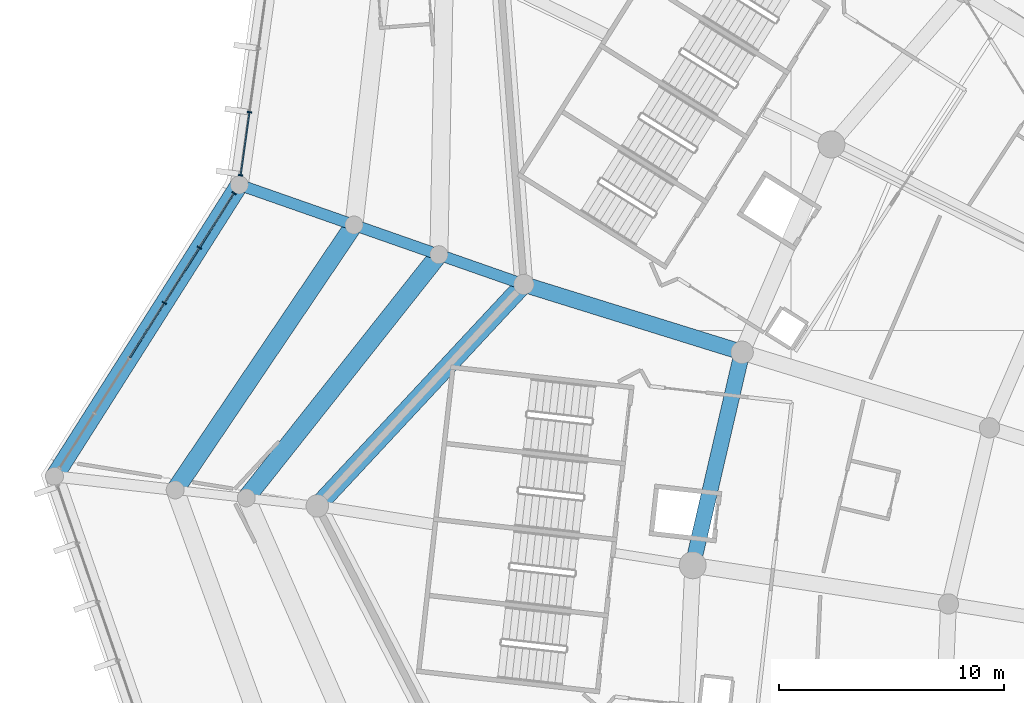
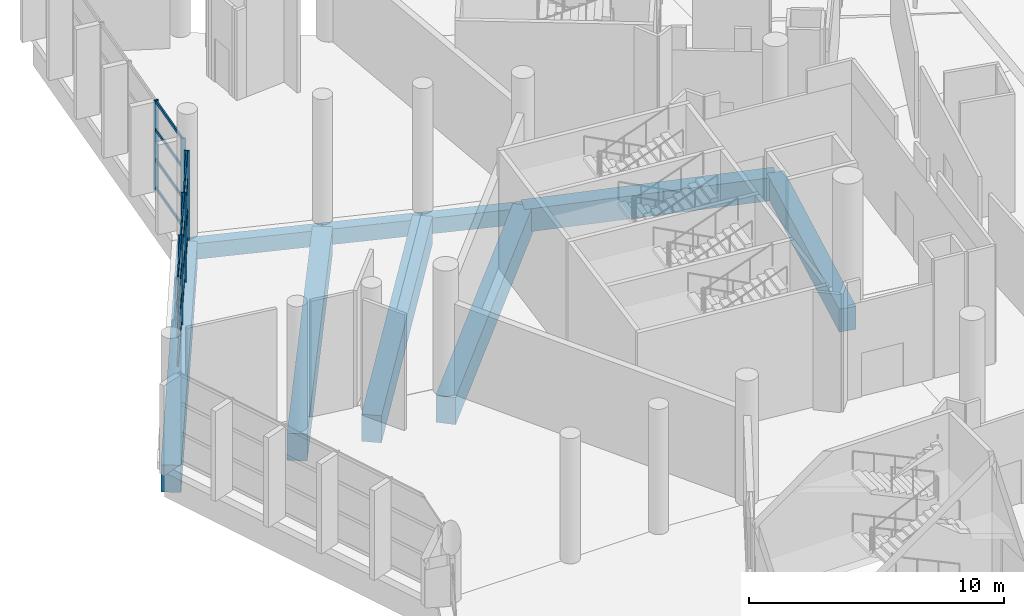
# One storey, part 58 of 249: 21 members, 9 beams, 2 elements without a shape of their own.
"""IFC4 building model written with IfcOpenShell, lengths in metres."""

from ifc_helpers import new_model, si_unit, direction, frame, origin, origin_2d, place, context, subcontext, project, spatial, rectangle, extrude, material, layer, layer_set, material_profile, profile_set, type_object, element, aggregate, save


model = new_model("IFC4")

# Units and contexts
model_context = context("Model", 3, precision=1e-05, world=origin(), true_north=direction((0.0, 1.0)))
body_context = subcontext(model_context, "Body", "Model", "MODEL_VIEW")
ifc_project = project(units=[si_unit("LENGTHUNIT", "METRE"), si_unit("AREAUNIT", "SQUARE_METRE"), si_unit("VOLUMEUNIT", "CUBIC_METRE"), si_unit("PLANEANGLEUNIT", "RADIAN"), si_unit("MASSUNIT", "GRAM", prefix="KILO")], contexts=[model_context])

# Site, building, storey
site_placement = place(None, origin())
site = spatial("IfcSite", under=ifc_project, at=site_placement, CompositionType="ELEMENT")
building_placement = place(site_placement, origin())
building = spatial("IfcBuilding", under=site, at=building_placement, Name="Meseta Stadium", CompositionType="ELEMENT")
storey_placement = place(building_placement, frame((0.0, 0.0, 12.0)))
storey = spatial("IfcBuildingStorey", under=building, at=storey_placement, Name="L02", CompositionType="ELEMENT", Elevation=12.0)

# Beams
ifc_material_1 = material(Name="Concrete C40/50", Category="concrete")
ifc_material_profile_1 = material_profile(ifc_material_1, rectangle(XDim=0.5, YDim=0.75, at=origin_2d()), Name="RC 500x750")
ifc_profile_set_1 = profile_set([ifc_material_profile_1], Name="Concrete C40/50")
beam_type_1 = type_object("IfcBeamType", Name="RC beam 500x750", PredefinedType="BEAM", material=ifc_profile_set_1)
for number, where, z_axis, x_axis, name in (
    (1, (-91.872802734375, 66.051513671875, -0.72509765625), (-0.943865968666, 0.330328674497, 0.0), (-0.330328674497, -0.943865968666, 0.0), "L02 radial beam frame 27 line R to M"),
    (2, (-95.648193359375, 67.372802734375, -0.72509765625), (-0.94389165523, 0.330255269735, 0.0), (-0.330255269735, -0.94389165523, 0.0), "L02 radial beam frame 27 line M to Q"),
):
    element("IfcBeam", number, at=place(storey_placement, frame(where, z_axis=z_axis, x_axis=x_axis)), inside=storey, type_object=beam_type_1, Name=name, PredefinedType="BEAM", context=body_context, shape_type="SweptSolid", body=[
        extrude(rectangle(XDim=0.5, YDim=0.75, at=origin_2d()), origin(), (0.0, 0.0, 1.0), 4.0),
    ])
beam_1_placement = place(storey_placement, frame((-99.423828125, 68.69384765625, -0.72509765625), z_axis=(-0.943885842652, 0.330271882003, 0.0), x_axis=(-0.330271882003, -0.943885842652, 0.0)))
element("IfcBeam", 3, at=beam_1_placement, inside=storey, type_object=beam_type_1, Name="L02 radial beam frame 27 line Q to O", PredefinedType="BEAM", context=body_context, shape_type="SweptSolid", body=[
    extrude(rectangle(XDim=0.5, YDim=0.75, at=origin_2d()), origin(), (0.0, 0.0, 1.0), 5.39990234375),
])
ifc_material_2 = material(Name="Concrete C40/50", Category="concrete")
ifc_material_profile_2 = material_profile(ifc_material_2, rectangle(XDim=0.699951171875, YDim=1.10009765625, at=origin_2d()), Name="RC 700x1100")
ifc_profile_set_2 = profile_set([ifc_material_profile_2], Name="Concrete C40/50")
beam_type_2 = type_object("IfcBeamType", Name="RC beam 700x1100", PredefinedType="BEAM", material=ifc_profile_set_2)
beam_2_placement = place(storey_placement, frame((-82.169189453125, 63.03369140625, -0.89990234375), z_axis=(-0.225749180431, -0.974185458491, 0.0), x_axis=(0.974185458491, -0.225749180431, 0.0)))
element("IfcBeam", 4, at=beam_2_placement, inside=storey, type_object=beam_type_2, Name="L02 ring beam frame 27 line P", PredefinedType="BEAM", context=body_context, shape_type="SweptSolid", body=[
    extrude(rectangle(XDim=0.699951171875, YDim=1.10009765625, at=origin_2d()), origin(), (0.0, 0.0, 1.0), 9.71923828125),
])
beam_3_placement = place(storey_placement, frame((-82.169189453125, 63.03369140625, -0.89990234375), z_axis=(-0.954886907796, 0.296969684176, 0.0), x_axis=(-0.296969684176, -0.954886907796, 0.0)))
element("IfcBeam", 5, at=beam_3_placement, inside=storey, type_object=beam_type_2, Name="L02 radial beam frame 27 line P to R", PredefinedType="BEAM", context=body_context, shape_type="SweptSolid", body=[
    extrude(rectangle(XDim=0.699951171875, YDim=1.10009765625, at=origin_2d()), origin(), (0.0, 0.0, 1.0), 10.162109375),
])
ifc_material_3 = material(Name="Concrete C40/50", Category="concrete")
ifc_material_profile_3 = material_profile(ifc_material_3, rectangle(XDim=0.800048828125, YDim=1.300048828125, at=origin_2d()), Name="RC 800x1300")
ifc_profile_set_3 = profile_set([ifc_material_profile_3], Name="Concrete C40/50")
beam_type_3 = type_object("IfcBeamType", Name="RC beam 800x1300", PredefinedType="BEAM", material=ifc_profile_set_3)
beam_4_placement = place(storey_placement, frame((-91.872802734375, 66.051513671875, -1.0), z_axis=(-0.681797952889, -0.73154053301, 0.0), x_axis=(0.73154053301, -0.681797952889, 0.0)))
element("IfcBeam", 6, at=beam_4_placement, inside=storey, type_object=beam_type_3, Name="L02 ring beam frame 27 line R", PredefinedType="BEAM", context=body_context, shape_type="SweptSolid", body=[
    extrude(rectangle(XDim=0.800048828125, YDim=1.300048828125, at=origin_2d()), origin(), (0.0, 0.0, 1.0), 13.462890625),
])
beam_5_placement = place(storey_placement, frame((-95.648193359375, 67.372802734375, -1.0), z_axis=(-0.620821710153, -0.783951786912, 0.0), x_axis=(0.783951786912, -0.620821710153, 0.0)))
element("IfcBeam", 7, at=beam_5_placement, inside=storey, type_object=beam_type_3, Name="L02 ring beam frame 27 line M", PredefinedType="BEAM", context=body_context, shape_type="SweptSolid", body=[
    extrude(rectangle(XDim=0.800048828125, YDim=1.300048828125, at=origin_2d()), origin(), (0.0, 0.0, 1.0), 13.794189453125),
])
beam_6_placement = place(storey_placement, frame((-99.423828125, 68.69384765625, -1.0), z_axis=(-0.559366030795, -0.828920770395, 0.0), x_axis=(0.828920770395, -0.559366030795, 0.0)))
element("IfcBeam", 8, at=beam_6_placement, inside=storey, type_object=beam_type_3, Name="L02 ring beam frame 27 line Q", PredefinedType="BEAM", context=body_context, shape_type="SweptSolid", body=[
    extrude(rectangle(XDim=0.800048828125, YDim=1.300048828125, at=origin_2d()), origin(), (0.0, 0.0, 1.0), 14.209716796875),
])
beam_7_placement = place(storey_placement, frame((-104.520751953125, 70.477294921875, -1.0), z_axis=(-0.535561122927, -0.844496467493, 0.0), x_axis=(0.844496467493, -0.535561122927, 0.0)))
element("IfcBeam", 9, at=beam_7_placement, inside=storey, type_object=beam_type_3, Name="L02 ring beam frame 27 line O", PredefinedType="BEAM", context=body_context, shape_type="SweptSolid", body=[
    extrude(rectangle(XDim=0.800048828125, YDim=1.300048828125, at=origin_2d()), origin(), (0.0, 0.0, 1.0), 15.34375),
])

# Curtain wall, members
ifc_material_4 = material(Name="Aluminium", Category="aluminium")
ifc_layer = layer(ifc_material_4, 0.199951171875)
ifc_layer_set = layer_set([ifc_layer], Name="Ring shopfront curtain wall")
curtain_wall_type = type_object("IfcCurtainWallType", Name="Ring shopfront curtain wall", PredefinedType="NOTDEFINED", material=ifc_layer_set)
curtain_wall_1_placement = place(storey_placement, origin())
curtain_wall_1 = element("IfcCurtainWall", 10, at=curtain_wall_1_placement, inside=storey, type_object=curtain_wall_type, Name="Ring glazing L02 F26", PredefinedType="NOTDEFINED")
ifc_material_5 = material(Name="Aluminium", Category="aluminium")
ifc_material_profile_4 = material_profile(ifc_material_5, rectangle(XDim=0.199951171875, YDim=0.06005859375, at=origin_2d()), Name="CW 200x60")
ifc_profile_set_4 = profile_set([ifc_material_profile_4], Name="Aluminium")
member_type_1 = type_object("IfcMemberType", Name="Ring CW mullion 60x200", PredefinedType="MULLION", material=ifc_profile_set_4)
member_1_placement = place(storey_placement, frame((-104.068115234375, 73.710205078125, 0.0), z_axis=(0.0, 0.0, 1.0), x_axis=(0.990342456098, -0.13864277713, 0.0)))
member_1 = element("IfcMember", 11, at=member_1_placement, type_object=member_type_1, Name="CWR1 mullion 5", PredefinedType="MULLION", context=body_context, shape_type="SweptSolid", body=[
    extrude(rectangle(XDim=0.199951171875, YDim=0.06005859375, at=origin_2d()), origin(), (0.0, 0.0, 1.0), 4.300048828125),
])
member_2_placement = place(storey_placement, frame((-104.461181640625, 70.903076171875, 0.0), z_axis=(0.0, 0.0, 1.0), x_axis=(0.990342456098, -0.13864277713, 0.0)))
member_2 = element("IfcMember", 12, at=member_2_placement, type_object=member_type_1, Name="CWR1 mullion 6", PredefinedType="MULLION", context=body_context, shape_type="SweptSolid", body=[
    extrude(rectangle(XDim=0.199951171875, YDim=0.06005859375, at=origin_2d()), origin(), (0.0, 0.0, 1.0), 4.300048828125),
])

curtain_wall_2_placement = place(storey_placement, origin())
curtain_wall_2 = element("IfcCurtainWall", 13, at=curtain_wall_2_placement, inside=storey, type_object=curtain_wall_type, Name="Ring glazing L02 F27", PredefinedType="NOTDEFINED")
member_3_placement = place(storey_placement, frame((-104.7509765625, 70.1142578125, 0.0), z_axis=(0.0, 0.0, 1.0), x_axis=(0.844491436677, -0.535569055659, 0.0)))
member_3 = element("IfcMember", 14, at=member_3_placement, type_object=member_type_1, Name="CWR1 mullion 1", PredefinedType="MULLION", context=body_context, shape_type="SweptSolid", body=[
    extrude(rectangle(XDim=0.199951171875, YDim=0.06005859375, at=origin_2d()), origin(), (0.0, 0.0, 1.0), 4.300048828125),
])
member_4_placement = place(storey_placement, frame((-106.292724609375, 67.68310546875, 0.0), z_axis=(0.0, 0.0, 1.0), x_axis=(0.844491436677, -0.535569055659, 0.0)))
member_4 = element("IfcMember", 15, at=member_4_placement, type_object=member_type_1, Name="CWR1 mullion 2", PredefinedType="MULLION", context=body_context, shape_type="SweptSolid", body=[
    extrude(rectangle(XDim=0.199951171875, YDim=0.06005859375, at=origin_2d()), origin(), (0.0, 0.0, 1.0), 4.300048828125),
])
member_5_placement = place(storey_placement, frame((-107.8505859375, 65.2265625, 0.0), z_axis=(0.0, 0.0, 1.0), x_axis=(0.844491436677, -0.535569055659, 0.0)))
member_5 = element("IfcMember", 16, at=member_5_placement, type_object=member_type_1, Name="CWR1 mullion 3", PredefinedType="MULLION", context=body_context, shape_type="SweptSolid", body=[
    extrude(rectangle(XDim=0.199951171875, YDim=0.06005859375, at=origin_2d()), origin(), (0.0, 0.0, 1.0), 4.300048828125),
])

# Member
ifc_material_6 = material(Name="Aluminium", Category="aluminium")
ifc_material_profile_5 = material_profile(ifc_material_6, rectangle(XDim=0.06005859375, YDim=0.14990234375, at=origin_2d()), Name="CW 60x150")
ifc_profile_set_5 = profile_set([ifc_material_profile_5], Name="Aluminium")
member_type_2 = type_object("IfcMemberType", Name="Ring CW transom 60x150", PredefinedType="USERDEFINED", material=ifc_profile_set_5)
member_6_placement = place(storey_placement, frame((-104.072265625, 73.680419921875, 0.074951171875), z_axis=(-0.138685819512, -0.990336429435, 0.0), x_axis=(0.990336429435, -0.138685819512, 0.0)))
member_6 = element("IfcMember", 17, at=member_6_placement, type_object=member_type_2, Name="CWR1 transom 5.1", ObjectType="TRANSOM", PredefinedType="USERDEFINED", context=body_context, shape_type="SweptSolid", body=[
    extrude(rectangle(XDim=0.06005859375, YDim=0.14990234375, at=origin_2d()), origin(), (0.0, 0.0, 1.0), 2.7744140625),
])

member_7_placement = place(storey_placement, frame((-104.072265625, 73.680419921875, 1.433349609375), z_axis=(-0.138685819512, -0.990336429435, 0.0), x_axis=(0.990336429435, -0.138685819512, 0.0)))
member_7 = element("IfcMember", 18, at=member_7_placement, type_object=member_type_2, Name="CWR1 transom 5.2", ObjectType="TRANSOM", PredefinedType="USERDEFINED", context=body_context, shape_type="SweptSolid", body=[
    extrude(rectangle(XDim=0.06005859375, YDim=0.14990234375, at=origin_2d()), origin(), (0.0, 0.0, 1.0), 2.7744140625),
])

member_8_placement = place(storey_placement, frame((-104.072265625, 73.680419921875, 2.86669921875), z_axis=(-0.138685819512, -0.990336429435, 0.0), x_axis=(0.990336429435, -0.138685819512, 0.0)))
member_8 = element("IfcMember", 19, at=member_8_placement, type_object=member_type_2, Name="CWR1 transom 5.3", ObjectType="TRANSOM", PredefinedType="USERDEFINED", context=body_context, shape_type="SweptSolid", body=[
    extrude(rectangle(XDim=0.06005859375, YDim=0.14990234375, at=origin_2d()), origin(), (0.0, 0.0, 1.0), 2.7744140625),
])

member_9_placement = place(storey_placement, frame((-104.072265625, 73.680419921875, 4.22509765625), z_axis=(-0.138685819512, -0.990336429435, 0.0), x_axis=(0.990336429435, -0.138685819512, 0.0)))
member_9 = element("IfcMember", 20, at=member_9_placement, type_object=member_type_2, Name="CWR1 transom 5.4", ObjectType="TRANSOM", PredefinedType="USERDEFINED", context=body_context, shape_type="SweptSolid", body=[
    extrude(rectangle(XDim=0.06005859375, YDim=0.14990234375, at=origin_2d()), origin(), (0.0, 0.0, 1.0), 2.7744140625),
])

aggregate(curtain_wall_1, [member_1, member_2, member_6, member_7, member_8, member_9])

member_10_placement = place(storey_placement, frame((-104.76708984375, 70.0888671875, 0.074951171875), z_axis=(-0.53560831474, -0.844466537632, 0.0), x_axis=(0.844466537632, -0.53560831474, 0.0)))
member_10 = element("IfcMember", 21, at=member_10_placement, type_object=member_type_2, Name="CWR1 transom 1.1", ObjectType="TRANSOM", PredefinedType="USERDEFINED", context=body_context, shape_type="SweptSolid", body=[
    extrude(rectangle(XDim=0.06005859375, YDim=0.14990234375, at=origin_2d()), origin(), (0.0, 0.0, 1.0), 2.81884765625),
])

member_11_placement = place(storey_placement, frame((-104.76708984375, 70.0888671875, 1.433349609375), z_axis=(-0.53560831474, -0.844466537632, 0.0), x_axis=(0.844466537632, -0.53560831474, 0.0)))
member_11 = element("IfcMember", 22, at=member_11_placement, type_object=member_type_2, Name="CWR1 transom 1.2", ObjectType="TRANSOM", PredefinedType="USERDEFINED", context=body_context, shape_type="SweptSolid", body=[
    extrude(rectangle(XDim=0.06005859375, YDim=0.14990234375, at=origin_2d()), origin(), (0.0, 0.0, 1.0), 2.81884765625),
])

member_12_placement = place(storey_placement, frame((-104.76708984375, 70.0888671875, 2.86669921875), z_axis=(-0.53560831474, -0.844466537632, 0.0), x_axis=(0.844466537632, -0.53560831474, 0.0)))
member_12 = element("IfcMember", 23, at=member_12_placement, type_object=member_type_2, Name="CWR1 transom 1.3", ObjectType="TRANSOM", PredefinedType="USERDEFINED", context=body_context, shape_type="SweptSolid", body=[
    extrude(rectangle(XDim=0.06005859375, YDim=0.14990234375, at=origin_2d()), origin(), (0.0, 0.0, 1.0), 2.81884765625),
])

member_13_placement = place(storey_placement, frame((-104.76708984375, 70.0888671875, 4.22509765625), z_axis=(-0.53560831474, -0.844466537632, 0.0), x_axis=(0.844466537632, -0.53560831474, 0.0)))
member_13 = element("IfcMember", 24, at=member_13_placement, type_object=member_type_2, Name="CWR1 transom 1.4", ObjectType="TRANSOM", PredefinedType="USERDEFINED", context=body_context, shape_type="SweptSolid", body=[
    extrude(rectangle(XDim=0.06005859375, YDim=0.14990234375, at=origin_2d()), origin(), (0.0, 0.0, 1.0), 2.81884765625),
])

member_14_placement = place(storey_placement, frame((-106.308837890625, 67.65771484375, 0.074951171875), z_axis=(-0.535610596293, -0.844465090539, 0.0), x_axis=(0.844465090539, -0.535610596293, 0.0)))
member_14 = element("IfcMember", 25, at=member_14_placement, type_object=member_type_2, Name="CWR1 transom 2.1", ObjectType="TRANSOM", PredefinedType="USERDEFINED", context=body_context, shape_type="SweptSolid", body=[
    extrude(rectangle(XDim=0.06005859375, YDim=0.14990234375, at=origin_2d()), origin(), (0.0, 0.0, 1.0), 2.848876953125),
])

member_15_placement = place(storey_placement, frame((-106.308837890625, 67.65771484375, 1.433349609375), z_axis=(-0.535610596293, -0.844465090539, 0.0), x_axis=(0.844465090539, -0.535610596293, 0.0)))
member_15 = element("IfcMember", 26, at=member_15_placement, type_object=member_type_2, Name="CWR1 transom 2.2", ObjectType="TRANSOM", PredefinedType="USERDEFINED", context=body_context, shape_type="SweptSolid", body=[
    extrude(rectangle(XDim=0.06005859375, YDim=0.14990234375, at=origin_2d()), origin(), (0.0, 0.0, 1.0), 2.848876953125),
])

member_16_placement = place(storey_placement, frame((-106.308837890625, 67.65771484375, 2.86669921875), z_axis=(-0.535610596293, -0.844465090539, 0.0), x_axis=(0.844465090539, -0.535610596293, 0.0)))
member_16 = element("IfcMember", 27, at=member_16_placement, type_object=member_type_2, Name="CWR1 transom 2.3", ObjectType="TRANSOM", PredefinedType="USERDEFINED", context=body_context, shape_type="SweptSolid", body=[
    extrude(rectangle(XDim=0.06005859375, YDim=0.14990234375, at=origin_2d()), origin(), (0.0, 0.0, 1.0), 2.848876953125),
])

member_17_placement = place(storey_placement, frame((-106.308837890625, 67.65771484375, 4.22509765625), z_axis=(-0.535610596293, -0.844465090539, 0.0), x_axis=(0.844465090539, -0.535610596293, 0.0)))
member_17 = element("IfcMember", 28, at=member_17_placement, type_object=member_type_2, Name="CWR1 transom 2.4", ObjectType="TRANSOM", PredefinedType="USERDEFINED", context=body_context, shape_type="SweptSolid", body=[
    extrude(rectangle(XDim=0.06005859375, YDim=0.14990234375, at=origin_2d()), origin(), (0.0, 0.0, 1.0), 2.848876953125),
])

member_18_placement = place(storey_placement, frame((-107.86669921875, 65.201416015625, 0.074951171875), z_axis=(-0.535549479234, -0.844503851556, 0.0), x_axis=(0.844503851556, -0.535549479234, 0.0)))
member_18 = element("IfcMember", 29, at=member_18_placement, type_object=member_type_2, Name="CWR1 transom 3.1", ObjectType="TRANSOM", PredefinedType="USERDEFINED", context=body_context, shape_type="SweptSolid", body=[
    extrude(rectangle(XDim=0.06005859375, YDim=0.14990234375, at=origin_2d()), origin(), (0.0, 0.0, 1.0), 2.8486328125),
])

member_19_placement = place(storey_placement, frame((-107.86669921875, 65.201416015625, 1.433349609375), z_axis=(-0.535549479234, -0.844503851556, 0.0), x_axis=(0.844503851556, -0.535549479234, 0.0)))
member_19 = element("IfcMember", 30, at=member_19_placement, type_object=member_type_2, Name="CWR1 transom 3.2", ObjectType="TRANSOM", PredefinedType="USERDEFINED", context=body_context, shape_type="SweptSolid", body=[
    extrude(rectangle(XDim=0.06005859375, YDim=0.14990234375, at=origin_2d()), origin(), (0.0, 0.0, 1.0), 2.8486328125),
])

member_20_placement = place(storey_placement, frame((-107.86669921875, 65.201416015625, 2.86669921875), z_axis=(-0.535549479234, -0.844503851556, 0.0), x_axis=(0.844503851556, -0.535549479234, 0.0)))
member_20 = element("IfcMember", 31, at=member_20_placement, type_object=member_type_2, Name="CWR1 transom 3.3", ObjectType="TRANSOM", PredefinedType="USERDEFINED", context=body_context, shape_type="SweptSolid", body=[
    extrude(rectangle(XDim=0.06005859375, YDim=0.14990234375, at=origin_2d()), origin(), (0.0, 0.0, 1.0), 2.8486328125),
])

member_21_placement = place(storey_placement, frame((-107.86669921875, 65.201416015625, 4.22509765625), z_axis=(-0.535549479234, -0.844503851556, 0.0), x_axis=(0.844503851556, -0.535549479234, 0.0)))
member_21 = element("IfcMember", 32, at=member_21_placement, type_object=member_type_2, Name="CWR1 transom 3.4", ObjectType="TRANSOM", PredefinedType="USERDEFINED", context=body_context, shape_type="SweptSolid", body=[
    extrude(rectangle(XDim=0.06005859375, YDim=0.14990234375, at=origin_2d()), origin(), (0.0, 0.0, 1.0), 2.8486328125),
])

aggregate(curtain_wall_2, [member_3, member_4, member_5, member_10, member_11, member_12, member_13, member_14, member_15, member_16, member_17, member_18, member_19, member_20, member_21])

save(model, "model.ifc")
